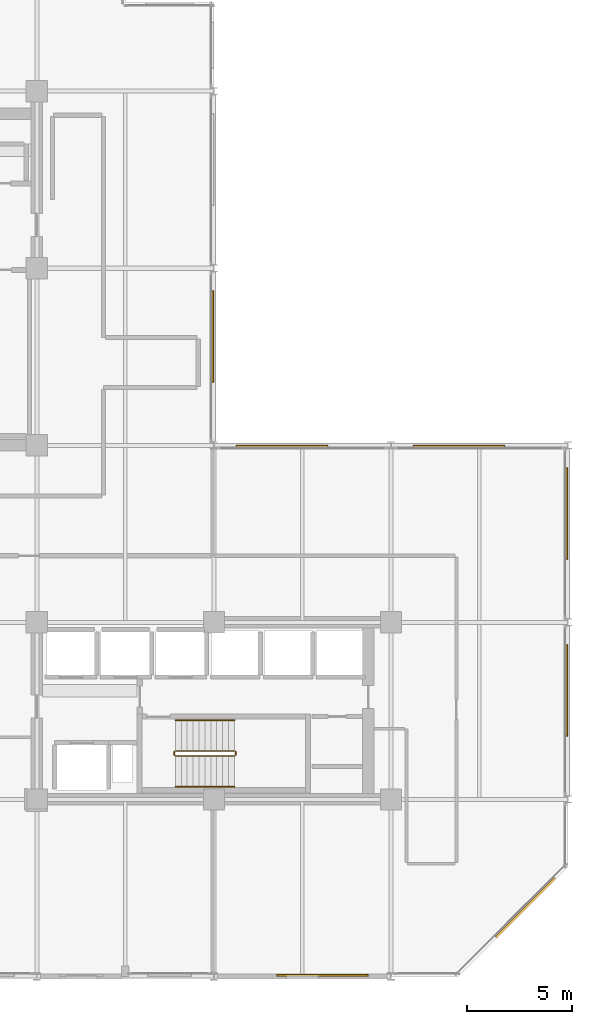
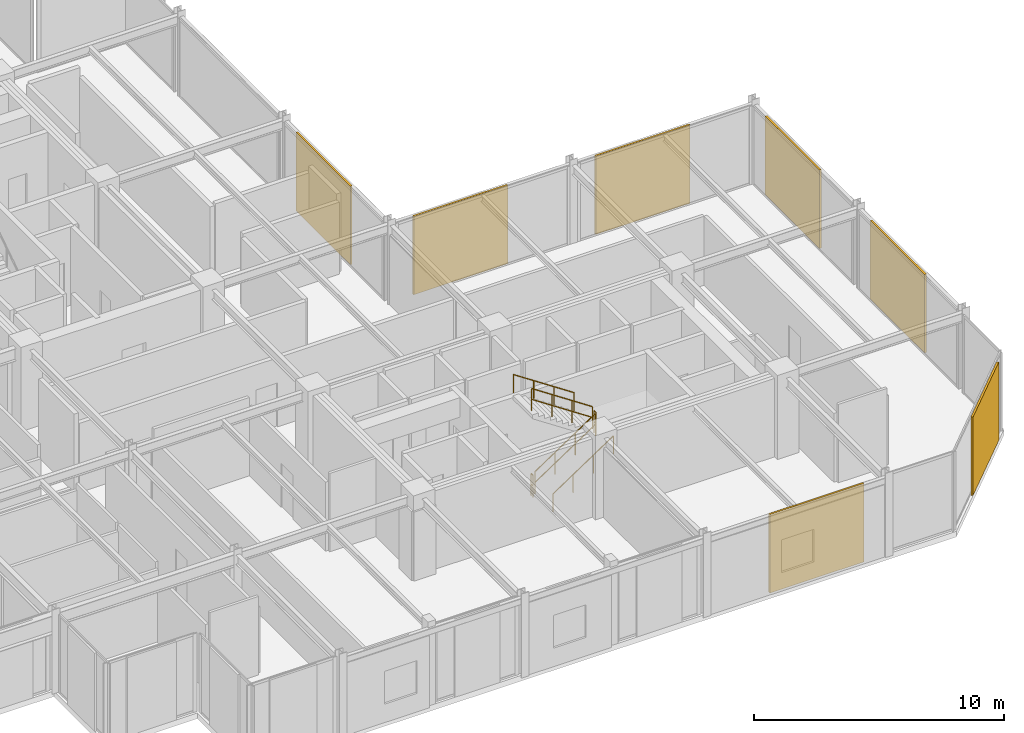
# One storey, part 28 of 29: 7 coverings, 6 railings.
"""IFC4 building model written with IfcOpenShell, lengths in metres."""

from ifc_helpers import new_model, si_unit, direction, frame, origin, origin_2d, place, context, subcontext, project, spatial, rectangle, circle, extrude, material, layer, layer_set, type_object, element, save


model = new_model("IFC4")

# Units and contexts
model_context = context("Model", 3, precision=1e-05, world=origin(), true_north=direction((0.0, 1.0)))
body_context = subcontext(model_context, "Body", "Model", "MODEL_VIEW")
ifc_project = project(units=[si_unit("LENGTHUNIT", "METRE"), si_unit("AREAUNIT", "SQUARE_METRE"), si_unit("VOLUMEUNIT", "CUBIC_METRE"), si_unit("PLANEANGLEUNIT", "RADIAN"), si_unit("MASSUNIT", "GRAM", prefix="KILO")], contexts=[model_context])

# Site, building, storey
site_placement = place(None, origin())
site = spatial("IfcSite", under=ifc_project, at=site_placement, CompositionType="ELEMENT")
building_placement = place(site_placement, origin())
building = spatial("IfcBuilding", under=site, at=building_placement, Name="Nerrivon Quay Data Exchange", CompositionType="ELEMENT")
storey_placement = place(building_placement, frame((0.0, 0.0, 187.800048828125)))
storey = spatial("IfcBuildingStorey", under=building, at=storey_placement, Name="L44", CompositionType="ELEMENT", Elevation=187.800048828125)

# Coverings
ifc_material_1 = material(Name="Architectural terracotta ceramic", Category="masonry")
ifc_layer = layer(ifc_material_1, 0.090087890625)
ifc_layer_set = layer_set([ifc_layer], Name="Architectural terracotta ceramic")
covering_type = type_object("IfcCoveringType", Name="COV-SCR-TERR", PredefinedType="CLADDING", material=ifc_layer_set)
for number, where, z_axis, x_axis, name in (
    (1, (25.155029296875, 30.365966796875, 0.0), (0.0, 0.0, 1.0), (0.0, -1.0, 0.0), "L44 Perforated Terracotta SOLAR SCREEN Cassette"),
    (2, (28.43408203125, 25.155029296875, 0.0), (0.0, 0.0, 1.0), (1.0, 0.0, 0.0), "L44 Perforated Terracotta SOLAR SCREEN Cassette"),
    (3, (36.833984375, 25.155029296875, 0.0), (0.0, 0.0, 1.0), (1.0, 0.0, 0.0), "L44 Perforated Terracotta SOLAR SCREEN Cassette"),
    (4, (41.955078125, 21.966064453125, 0.0), (0.0, 0.0, 1.0), (0.0, -1.0, 0.0), "L44 Perforated Terracotta SOLAR SCREEN Cassette"),
    (5, (41.955078125, 13.56591796875, 0.0), (0.0, 0.0, 1.0), (0.0, -1.0, 0.0), "L44 Perforated Terracotta SOLAR SCREEN Cassette"),
):
    element("IfcCovering", number, at=place(storey_placement, frame(where, z_axis=z_axis, x_axis=x_axis)), inside=storey, type_object=covering_type, Name=name, PredefinedType="CLADDING", context=body_context, shape_type="SweptSolid", body=[
        extrude(rectangle(XDim=4.346923828125, YDim=0.090087890625, at=origin_2d()), origin(), (0.0, 0.0, 1.0), 3.824951171875),
    ])
covering_1_placement = place(storey_placement, frame((39.9921875, 3.255859375, 0.0), z_axis=(0.0, 0.0, 1.0), x_axis=(-0.707106781187, -0.707106781187, 0.0)))
element("IfcCovering", 6, at=covering_1_placement, inside=storey, type_object=covering_type, Name="L44 Perforated Terracotta SOLAR SCREEN Cassette", PredefinedType="CLADDING", context=body_context, shape_type="SweptSolid", body=[
    extrude(rectangle(XDim=3.970947265625, YDim=0.090087890625, at=origin_2d()), origin(), (0.0, 0.0, 1.0), 3.824951171875),
])
covering_2_placement = place(storey_placement, frame((30.365966796875, 0.044921875, 0.0), z_axis=(0.0, 0.0, 1.0), x_axis=(-1.0, 0.0, 0.0)))
element("IfcCovering", 7, at=covering_2_placement, inside=storey, type_object=covering_type, Name="L44 Perforated Terracotta SOLAR SCREEN Cassette", PredefinedType="CLADDING", context=body_context, shape_type="SweptSolid", body=[
    extrude(rectangle(XDim=4.346923828125, YDim=0.090087890625, at=origin_2d()), origin(), (0.0, 0.0, 1.0), 3.824951171875),
])

# Railings
ifc_material_2 = material(Name="Steel Grade C350L0 (350 MPa)", Category="steel")
railing_type_1 = type_object("IfcRailingType", Name="RAIL-HAND-HR1", PredefinedType="HANDRAIL", material=ifc_material_2)
railing_1_placement = place(storey_placement, frame((23.3798828125, 9.0, 0.186279296875)))
element("IfcRailing", 8, at=railing_1_placement, inside=storey, type_object=railing_type_1, Name="L44 ST02 stair handrail 1", PredefinedType="HANDRAIL", context=body_context, shape_type="SweptSolid", body=[
    extrude(circle(Radius=0.02392578125, at=origin_2d()), frame((0.0, 0.0, 0.8759765625), z_axis=(0.832452072856, 0.0, 0.554097055034), x_axis=(0.0, 1.0, 0.0)), (0.0, 0.0, 1.0), 3.363525390625),
    extrude(circle(Radius=0.02099609375, at=origin_2d()), origin(), (0.0, 0.0, 1.0), 0.851806640625),
    extrude(circle(Radius=0.02099609375, at=origin_2d()), frame((0.933349609375, 0.0, 0.621337890625)), (0.0, 0.0, 1.0), 0.851806640625),
    extrude(circle(Radius=0.02099609375, at=origin_2d()), frame((1.86669921875, 0.0, 1.242431640625)), (0.0, 0.0, 1.0), 0.851806640625),
    extrude(circle(Radius=0.02099609375, at=origin_2d()), frame((2.800048828125, 0.0, 1.86376953125)), (0.0, 0.0, 1.0), 0.851806640625),
])
railing_2_placement = place(storey_placement, frame((26.179931640625, 12.14990234375, 2.236328125)))
element("IfcRailing", 9, at=railing_2_placement, inside=storey, type_object=railing_type_1, Name="L44 ST02 stair handrail 2", PredefinedType="HANDRAIL", context=body_context, shape_type="SweptSolid", body=[
    extrude(circle(Radius=0.02392578125, at=origin_2d()), frame((0.0, 0.0, 0.8759765625), z_axis=(-0.832485552168, 0.0, 0.554046753832), x_axis=(0.0, -1.0, 0.0)), (0.0, 0.0, 1.0), 3.363525390625),
    extrude(circle(Radius=0.02099609375, at=origin_2d()), origin(), (0.0, 0.0, 1.0), 0.851806640625),
    extrude(circle(Radius=0.02099609375, at=origin_2d()), frame((-0.933349609375, 0.0, 0.62109375)), (0.0, 0.0, 1.0), 0.851806640625),
    extrude(circle(Radius=0.02099609375, at=origin_2d()), frame((-1.86669921875, 0.0, 1.242431640625)), (0.0, 0.0, 1.0), 0.851806640625),
    extrude(circle(Radius=0.02099609375, at=origin_2d()), frame((-2.800048828125, 0.0, 1.863525390625)), (0.0, 0.0, 1.0), 0.851806640625),
])
railing_type_2 = type_object("IfcRailingType", Name="RAIL-STAIR-GR1", PredefinedType="BALUSTRADE", material=ifc_material_2)
railing_3_placement = place(storey_placement, frame((23.3798828125, 10.449951171875, 0.186279296875)))
element("IfcRailing", 10, at=railing_3_placement, inside=storey, type_object=railing_type_2, Name="L44 ST02 stair guard 1", PredefinedType="BALUSTRADE", context=body_context, shape_type="SweptSolid", body=[
    extrude(circle(Radius=0.02392578125, at=origin_2d()), frame((0.0, 0.0, 1.076171875), z_axis=(0.832452072856, 0.0, 0.554097055034), x_axis=(0.0, 1.0, 0.0)), (0.0, 0.0, 1.0), 3.363525390625),
    extrude(circle(Radius=0.02392578125, at=origin_2d()), frame((0.0, 0.0, 0.550048828125), z_axis=(0.832452072856, 0.0, 0.554097055034), x_axis=(0.0, 1.0, 0.0)), (0.0, 0.0, 1.0), 3.363525390625),
    extrude(circle(Radius=0.02099609375, at=origin_2d()), origin(), (0.0, 0.0, 1.0), 1.052001953125),
    extrude(circle(Radius=0.02099609375, at=origin_2d()), frame((0.933349609375, 0.0, 0.621337890625)), (0.0, 0.0, 1.0), 1.052001953125),
    extrude(circle(Radius=0.02099609375, at=origin_2d()), frame((1.86669921875, 0.0, 1.242431640625)), (0.0, 0.0, 1.0), 1.052001953125),
    extrude(circle(Radius=0.02099609375, at=origin_2d()), frame((2.800048828125, 0.0, 1.86376953125)), (0.0, 0.0, 1.0), 1.052001953125),
])
railing_4_placement = place(storey_placement, frame((26.22998046875, 10.5, 2.050048828125)))
element("IfcRailing", 11, at=railing_4_placement, inside=storey, type_object=railing_type_2, Name="L44 ST02 stair guard 2", PredefinedType="BALUSTRADE", context=body_context, shape_type="SweptSolid", body=[
    extrude(circle(Radius=0.02392578125, at=origin_2d()), frame((0.0, 0.0, 1.076171875), z_axis=(0.0, 1.0, 0.0), x_axis=(-1.0, 0.0, 0.0)), (0.0, 0.0, 1.0), 0.14990234375),
    extrude(circle(Radius=0.02392578125, at=origin_2d()), frame((0.0, 0.0, 0.550048828125), z_axis=(0.0, 1.0, 0.0), x_axis=(-1.0, 0.0, 0.0)), (0.0, 0.0, 1.0), 0.14990234375),
    extrude(circle(Radius=0.02099609375, at=origin_2d()), origin(), (0.0, 0.0, 1.0), 1.052001953125),
    extrude(circle(Radius=0.02099609375, at=origin_2d()), frame((0.0, 0.14990234375, 0.0)), (0.0, 0.0, 1.0), 1.052001953125),
])
railing_5_placement = place(storey_placement, frame((26.179931640625, 10.699951171875, 2.236328125)))
element("IfcRailing", 12, at=railing_5_placement, inside=storey, type_object=railing_type_2, Name="L44 ST02 stair guard 3", PredefinedType="BALUSTRADE", context=body_context, shape_type="SweptSolid", body=[
    extrude(circle(Radius=0.02392578125, at=origin_2d()), frame((0.0, 0.0, 1.076171875), z_axis=(-0.832485552168, 0.0, 0.554046753832), x_axis=(0.0, -1.0, 0.0)), (0.0, 0.0, 1.0), 3.363525390625),
    extrude(circle(Radius=0.02392578125, at=origin_2d()), frame((0.0, 0.0, 0.550048828125), z_axis=(-0.832485552168, 0.0, 0.554046753832), x_axis=(0.0, -1.0, 0.0)), (0.0, 0.0, 1.0), 3.363525390625),
    extrude(circle(Radius=0.02099609375, at=origin_2d()), origin(), (0.0, 0.0, 1.0), 1.052001953125),
    extrude(circle(Radius=0.02099609375, at=origin_2d()), frame((-0.933349609375, 0.0, 0.62109375)), (0.0, 0.0, 1.0), 1.052001953125),
    extrude(circle(Radius=0.02099609375, at=origin_2d()), frame((-1.86669921875, 0.0, 1.242431640625)), (0.0, 0.0, 1.0), 1.052001953125),
    extrude(circle(Radius=0.02099609375, at=origin_2d()), frame((-2.800048828125, 0.0, 1.863525390625)), (0.0, 0.0, 1.0), 1.052001953125),
])
railing_6_placement = place(storey_placement, frame((23.330078125, 10.5, 0.0)))
element("IfcRailing", 13, at=railing_6_placement, inside=storey, type_object=railing_type_2, Name="L44 ST02 stair guard 4", PredefinedType="BALUSTRADE", context=body_context, shape_type="SweptSolid", body=[
    extrude(circle(Radius=0.02392578125, at=origin_2d()), frame((0.0, 0.0, 1.076171875), z_axis=(0.0, 1.0, 0.0), x_axis=(-1.0, 0.0, 0.0)), (0.0, 0.0, 1.0), 0.14990234375),
    extrude(circle(Radius=0.02392578125, at=origin_2d()), frame((0.0, 0.0, 0.550048828125), z_axis=(0.0, 1.0, 0.0), x_axis=(-1.0, 0.0, 0.0)), (0.0, 0.0, 1.0), 0.14990234375),
    extrude(circle(Radius=0.02099609375, at=origin_2d()), origin(), (0.0, 0.0, 1.0), 1.052001953125),
    extrude(circle(Radius=0.02099609375, at=origin_2d()), frame((0.0, 0.14990234375, 0.0)), (0.0, 0.0, 1.0), 1.052001953125),
])

save(model, "model.ifc")
